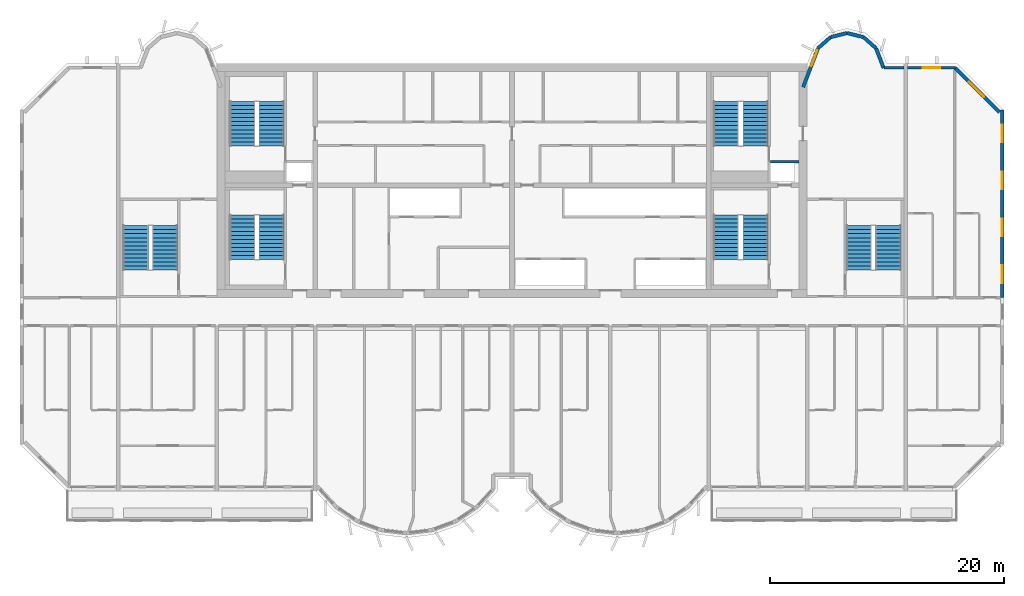
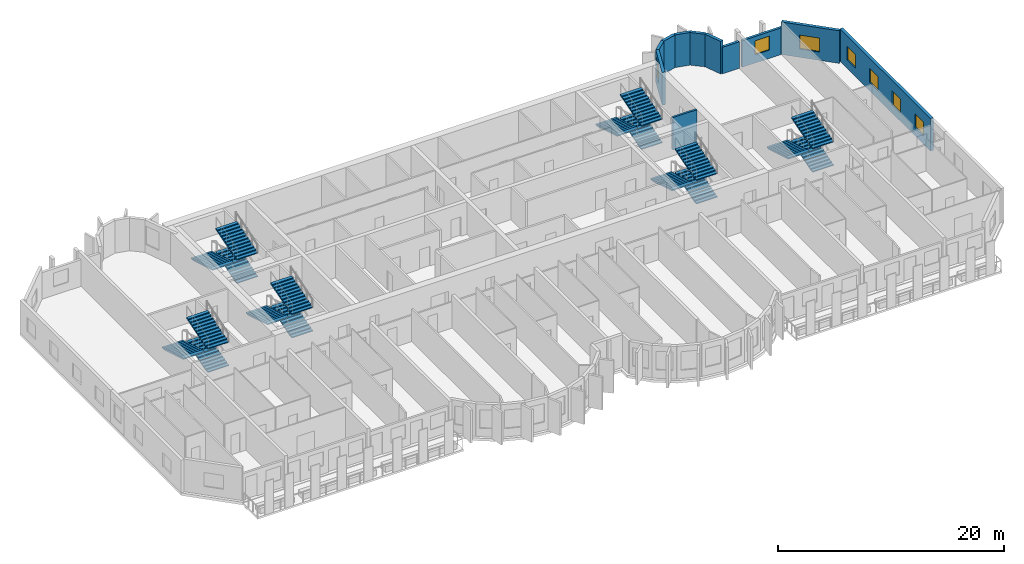
# One storey, part 10 of 13: 18 stair flights, 11 walls, 7 windows, 7 openings, 6 elements without a shape of their own.
"""IFC4 building model written with IfcOpenShell, lengths in metres."""

from ifc_helpers import new_model, si_unit, direction, frame, frame_2d, origin, place, context, subcontext, project, spatial, polyline, rectangle, outline, extrude, source, transform, mapped, material, layer, layer_set, type_object, element, fill, aggregate, save


model = new_model("IFC4")

# Units and contexts
model_context = context("Model", 3, precision=1e-05, world=origin(), true_north=direction((0.0, 1.0)))
body_context = subcontext(model_context, "Body", "Model", "MODEL_VIEW")
ifc_project = project(units=[si_unit("LENGTHUNIT", "METRE"), si_unit("AREAUNIT", "SQUARE_METRE"), si_unit("VOLUMEUNIT", "CUBIC_METRE"), si_unit("PLANEANGLEUNIT", "RADIAN"), si_unit("MASSUNIT", "GRAM", prefix="KILO")], contexts=[model_context])

# Site, building, storey
site_placement = place(None, origin())
site = spatial("IfcSite", under=ifc_project, at=site_placement, CompositionType="ELEMENT")
building_placement = place(site_placement, origin())
building = spatial("IfcBuilding", under=site, at=building_placement, Name="Vanashikhar Sky Hotel", CompositionType="ELEMENT")
storey_placement = place(building_placement, frame((0.0, 0.0, 163.0)))
storey = spatial("IfcBuildingStorey", under=building, at=storey_placement, Name="L39", CompositionType="ELEMENT", Elevation=163.0)

# Wall, openings, windows
ifc_material_1 = material(Name="Concrete M60", Category="concrete")
ifc_layer_1 = layer(ifc_material_1, 0.300048828125)
ifc_layer_set_1 = layer_set([ifc_layer_1], Name="RC shear wall 300 Concrete M60")
wall_type_1 = type_object("IfcWallType", Name="RC shear wall 300 Concrete M60", PredefinedType="SHEAR", material=ifc_layer_set_1)
shared_shape_1 = source(origin(), body_context, "Body", "SweptSolid", [
    extrude(rectangle(XDim=16.0, YDim=0.300048828125, at=frame_2d((8.0, 0.0))), origin(), (0.0, 0.0, 1.0), 3.52001953125),
])
wall_1_placement = place(storey_placement, frame((92.25, 22.0, 0.0), z_axis=(0.0, 0.0, 1.0), x_axis=(0.0, 1.0, 0.0)))
wall_1 = element("IfcWall", 1, at=wall_1_placement, inside=storey, type_object=wall_type_1, Name="CW-L39-XW12-2", PredefinedType="SHEAR", context=body_context, shape_type="MappedRepresentation", body=[
    mapped(shared_shape_1, transform((0.0, 0.0, 0.0), scale=1.0)),
])
shared_shape_2 = source(origin(), body_context, "Body", "SweptSolid", [
    extrude(rectangle(XDim=1.5, YDim=1.5, at=frame_2d((0.75, 0.75))), frame((0.0, 0.16015625, 0.0), z_axis=(0.0, -1.0, 0.0), x_axis=(1.0, 0.0, 0.0)), (0.0, 0.0, 1.0), 0.320068359375),
])
opening_1_placement = place(wall_1_placement, frame((1.25, 0.0, 0.89990234375)))
opening_1 = element("IfcOpeningElement", 2, at=opening_1_placement, cuts=wall_1, Name="Opening WN-1", PredefinedType="OPENING", context=body_context, shape_type="MappedRepresentation", body=[
    mapped(shared_shape_2, transform((0.0, 0.0, 0.0), scale=1.0)),
])
opening_2_placement = place(wall_1_placement, frame((5.25, 0.0, 0.89990234375)))
opening_2 = element("IfcOpeningElement", 3, at=opening_2_placement, cuts=wall_1, Name="Opening WN-1", PredefinedType="OPENING", context=body_context, shape_type="MappedRepresentation", body=[
    mapped(shared_shape_2, transform((0.0, 0.0, 0.0), scale=1.0)),
])
opening_3_placement = place(wall_1_placement, frame((9.25, 0.0, 0.89990234375)))
opening_3 = element("IfcOpeningElement", 4, at=opening_3_placement, cuts=wall_1, Name="Opening WN-1", PredefinedType="OPENING", context=body_context, shape_type="MappedRepresentation", body=[
    mapped(shared_shape_2, transform((0.0, 0.0, 0.0), scale=1.0)),
])
opening_4_placement = place(wall_1_placement, frame((13.25, 0.0, 0.89990234375)))
opening_4 = element("IfcOpeningElement", 5, at=opening_4_placement, cuts=wall_1, Name="Opening WN-1", PredefinedType="OPENING", context=body_context, shape_type="MappedRepresentation", body=[
    mapped(shared_shape_2, transform((0.0, 0.0, 0.0), scale=1.0)),
])
ifc_material_2 = material(Name="Glass", Category="glass")
window_type_1 = type_object("IfcWindowType", Name="Window 1500 x 1500", PartitioningType="SINGLE_PANEL", PredefinedType="WINDOW", material=ifc_material_2)
shared_shape_3 = source(origin(), body_context, "Body", "SweptSolid", [
    extrude(rectangle(XDim=1.5, YDim=1.5, at=frame_2d((0.75, 0.75))), frame((0.0, 0.030029296875, 0.0), z_axis=(0.0, -1.0, 0.0), x_axis=(1.0, 0.0, 0.0)), (0.0, 0.0, 1.0), 0.06005859375),
])
window_1_placement = place(opening_1_placement, origin())
window_1 = element("IfcWindow", 6, at=window_1_placement, inside=storey, type_object=window_type_1, Name="Window WN-1", OverallHeight=1.5, OverallWidth=1.5, PartitioningType="SINGLE_PANEL", PredefinedType="WINDOW", context=body_context, shape_type="MappedRepresentation", body=[
    mapped(shared_shape_3, transform((0.0, 0.0, 0.0), scale=1.0)),
])
fill(opening_1, window_1)
window_2_placement = place(opening_2_placement, origin())
window_2 = element("IfcWindow", 7, at=window_2_placement, inside=storey, type_object=window_type_1, Name="Window WN-1", OverallHeight=1.5, OverallWidth=1.5, PartitioningType="SINGLE_PANEL", PredefinedType="WINDOW", context=body_context, shape_type="MappedRepresentation", body=[
    mapped(shared_shape_3, transform((0.0, 0.0, 0.0), scale=1.0)),
])
fill(opening_2, window_2)
window_3_placement = place(opening_3_placement, origin())
window_3 = element("IfcWindow", 8, at=window_3_placement, inside=storey, type_object=window_type_1, Name="Window WN-1", OverallHeight=1.5, OverallWidth=1.5, PartitioningType="SINGLE_PANEL", PredefinedType="WINDOW", context=body_context, shape_type="MappedRepresentation", body=[
    mapped(shared_shape_3, transform((0.0, 0.0, 0.0), scale=1.0)),
])
fill(opening_3, window_3)
window_4_placement = place(opening_4_placement, origin())
window_4 = element("IfcWindow", 9, at=window_4_placement, inside=storey, type_object=window_type_1, Name="Window WN-1", OverallHeight=1.5, OverallWidth=1.5, PartitioningType="SINGLE_PANEL", PredefinedType="WINDOW", context=body_context, shape_type="MappedRepresentation", body=[
    mapped(shared_shape_3, transform((0.0, 0.0, 0.0), scale=1.0)),
])
fill(opening_4, window_4)

# Wall, opening, window
ifc_material_3 = material(Name="Concrete M50", Category="concrete")
ifc_layer_2 = layer(ifc_material_3, 0.300048828125)
ifc_layer_set_2 = layer_set([ifc_layer_2], Name="Lobe wall 300")
wall_type_2 = type_object("IfcWallType", Name="Lobe wall 300", PredefinedType="SOLIDWALL", material=ifc_layer_set_2)
shared_shape_4 = source(origin(), body_context, "Body", "SweptSolid", [
    extrude(rectangle(XDim=5.32568359375, YDim=0.300048828125, at=frame_2d((2.662841796875, 0.0))), origin(), (0.0, 0.0, 1.0), 3.52001953125),
])
wall_2_placement = place(storey_placement, frame((92.0, 37.834228515625, 0.0), z_axis=(0.0, 0.0, 1.0), x_axis=(-0.707083859269, 0.707129702361, 0.0)))
wall_2 = element("IfcWall", 10, at=wall_2_placement, inside=storey, type_object=wall_type_2, Name="Corner wall", PredefinedType="SOLIDWALL", context=body_context, shape_type="MappedRepresentation", body=[
    mapped(shared_shape_4, transform((0.0, 0.0, 0.0), scale=1.0)),
])
shared_shape_5 = source(origin(), body_context, "Body", "SweptSolid", [
    extrude(rectangle(XDim=1.800048828125, YDim=1.5, at=frame_2d((0.89990234375, 0.75))), frame((0.0, 0.16015625, 0.0), z_axis=(0.0, -1.0, 0.0), x_axis=(1.0, 0.0, 0.0)), (0.0, 0.0, 1.0), 0.320068359375),
])
opening_5_placement = place(wall_2_placement, frame((1.8359375, 0.0, 0.89990234375)))
opening_5 = element("IfcOpeningElement", 11, at=opening_5_placement, cuts=wall_2, Name="Opening WN-4", PredefinedType="OPENING", context=body_context, shape_type="MappedRepresentation", body=[
    mapped(shared_shape_5, transform((0.0, 0.0, 0.0), scale=1.0)),
])
window_type_2 = type_object("IfcWindowType", Name="Corner window 1800 x 1500", PartitioningType="SINGLE_PANEL", PredefinedType="WINDOW", material=ifc_material_2)
shared_shape_6 = source(origin(), body_context, "Body", "SweptSolid", [
    extrude(rectangle(XDim=1.800048828125, YDim=1.5, at=frame_2d((0.89990234375, 0.75))), frame((0.0, 0.030029296875, 0.0), z_axis=(0.0, -1.0, 0.0), x_axis=(1.0, 0.0, 0.0)), (0.0, 0.0, 1.0), 0.06005859375),
])
window_5_placement = place(opening_5_placement, origin())
window_5 = element("IfcWindow", 12, at=window_5_placement, inside=storey, type_object=window_type_2, Name="Window WN-4", OverallHeight=1.5, OverallWidth=1.800048828125, PartitioningType="SINGLE_PANEL", PredefinedType="WINDOW", context=body_context, shape_type="MappedRepresentation", body=[
    mapped(shared_shape_6, transform((0.0, 0.0, 0.0), scale=1.0)),
])
fill(opening_5, window_5)

shared_shape_7 = source(origin(), body_context, "Body", "SweptSolid", [
    extrude(rectangle(XDim=3.55908203125, YDim=0.300048828125, at=frame_2d((1.779541015625, 0.0))), origin(), (0.0, 0.0, 1.0), 3.52001953125),
])
wall_3_placement = place(storey_placement, frame((76.5234375, 43.2919921875, 0.0), z_axis=(0.0, 0.0, 1.0), x_axis=(-0.35779745313, -0.933799219604, 0.0)))
wall_3 = element("IfcWall", 13, at=wall_3_placement, inside=storey, type_object=wall_type_2, Name="Lobe wall", PredefinedType="SOLIDWALL", context=body_context, shape_type="MappedRepresentation", body=[
    mapped(shared_shape_7, transform((0.0, 0.0, 0.0), scale=1.0)),
])
shared_shape_8 = source(origin(), body_context, "Body", "SweptSolid", [
    extrude(rectangle(XDim=1.5, YDim=2.0, at=frame_2d((0.75, 1.0))), frame((0.0, 0.16015625, 0.0), z_axis=(0.0, -1.0, 0.0), x_axis=(1.0, 0.0, 0.0)), (0.0, 0.0, 1.0), 0.320068359375),
])
opening_6_placement = place(wall_3_placement, frame((0.156005859375, 0.0, 0.89990234375)))
opening_6 = element("IfcOpeningElement", 14, at=opening_6_placement, cuts=wall_3, Name="Opening WN-2", PredefinedType="OPENING", context=body_context, shape_type="MappedRepresentation", body=[
    mapped(shared_shape_8, transform((0.0, 0.0, 0.0), scale=1.0)),
])
window_type_3 = type_object("IfcWindowType", Name="Lobe window 1500 x 2000", PartitioningType="SINGLE_PANEL", PredefinedType="WINDOW", material=ifc_material_2)
shared_shape_9 = source(origin(), body_context, "Body", "SweptSolid", [
    extrude(rectangle(XDim=1.5, YDim=2.0, at=frame_2d((0.75, 1.0))), frame((0.0, 0.030029296875, 0.0), z_axis=(0.0, -1.0, 0.0), x_axis=(1.0, 0.0, 0.0)), (0.0, 0.0, 1.0), 0.06005859375),
])
window_6_placement = place(opening_6_placement, origin())
window_6 = element("IfcWindow", 15, at=window_6_placement, inside=storey, type_object=window_type_3, Name="Window WN-2", OverallHeight=2.0, OverallWidth=1.5, PartitioningType="SINGLE_PANEL", PredefinedType="WINDOW", context=body_context, shape_type="MappedRepresentation", body=[
    mapped(shared_shape_9, transform((0.0, 0.0, 0.0), scale=1.0)),
])
fill(opening_6, window_6)

# Walls
shared_shape_10 = source(origin(), body_context, "Body", "SweptSolid", [
    extrude(rectangle(XDim=1.438720703125, YDim=0.300048828125, at=frame_2d((0.71923828125, 0.0))), origin(), (0.0, 0.0, 1.0), 3.52001953125),
])
for number, where, z_axis, x_axis, name in (
    (16, (80.397216796875, 44.2451171875, 0.0), (0.0, 0.0, 1.0), (-0.971161932466, 0.238420848351, 0.0), "Lobe wall"),
    (17, (79.0, 44.588134765625, 0.0), (0.0, 0.0, 1.0), (-0.971161932466, -0.238420848351, 0.0), "Lobe wall"),
):
    element("IfcWall", number, at=place(storey_placement, frame(where, z_axis=z_axis, x_axis=x_axis)), inside=storey, type_object=wall_type_2, Name=name, PredefinedType="SOLIDWALL", context=body_context, shape_type="MappedRepresentation", body=[
        mapped(shared_shape_10, transform((0.0, 0.0, 0.0), scale=1.0)),
    ])
shared_shape_11 = source(origin(), body_context, "Body", "SweptSolid", [
    extrude(rectangle(XDim=1.43994140625, YDim=0.300048828125, at=frame_2d((0.719970703125, 0.0))), origin(), (0.0, 0.0, 1.0), 3.52001953125),
])
for number, where, z_axis, x_axis, name in (
    (18, (81.4765625, 43.2919921875, 0.0), (0.0, 0.0, 1.0), (-0.74957555648, 0.661918790432, 0.0), "Lobe wall"),
    (19, (77.602783203125, 44.2451171875, 0.0), (0.0, 0.0, 1.0), (-0.74957555648, -0.661918790432, 0.0), "Lobe wall"),
):
    element("IfcWall", number, at=place(storey_placement, frame(where, z_axis=z_axis, x_axis=x_axis)), inside=storey, type_object=wall_type_2, Name=name, PredefinedType="SOLIDWALL", context=body_context, shape_type="MappedRepresentation", body=[
        mapped(shared_shape_11, transform((0.0, 0.0, 0.0), scale=1.0)),
    ])
shared_shape_12 = source(origin(), body_context, "Body", "SweptSolid", [
    extrude(rectangle(XDim=1.81201171875, YDim=0.300048828125, at=frame_2d((0.906005859375, 0.0))), origin(), (0.0, 0.0, 1.0), 3.52001953125),
])
wall_4_placement = place(storey_placement, frame((82.125, 41.60009765625, 0.0), z_axis=(0.0, 0.0, 1.0), x_axis=(-0.357877270961, 0.93376863244, 0.0)))
element("IfcWall", 20, at=wall_4_placement, inside=storey, type_object=wall_type_2, Name="Lobe wall", PredefinedType="SOLIDWALL", context=body_context, shape_type="MappedRepresentation", body=[
    mapped(shared_shape_12, transform((0.0, 0.0, 0.0), scale=1.0)),
])
ifc_layer_3 = layer(ifc_material_3, 0.25)
ifc_layer_set_3 = layer_set([ifc_layer_3], Name="Rear and end board-marked wall 250")
wall_type_3 = type_object("IfcWallType", Name="Rear and end board-marked wall 250", PredefinedType="SOLIDWALL", material=ifc_layer_set_3)
shared_shape_13 = source(origin(), body_context, "Body", "SweptSolid", [
    extrude(rectangle(XDim=1.7080078125, YDim=0.25, at=frame_2d((0.85400390625, 0.0))), origin(), (0.0, 0.0, 1.0), 2.8701171875),
])
wall_5_placement = place(storey_placement, frame((83.85009765625, 41.625, 0.0), z_axis=(0.0, 0.0, 1.0), x_axis=(-1.0, 0.0, 0.0)))
element("IfcWall", 21, at=wall_5_placement, inside=storey, type_object=wall_type_3, Name="Rear board-marked wall", PredefinedType="SOLIDWALL", context=body_context, shape_type="MappedRepresentation", body=[
    mapped(shared_shape_13, transform((0.0, 0.0, 0.0), scale=1.0)),
])

# Wall, opening, window
shared_shape_14 = source(origin(), body_context, "Body", "SweptSolid", [
    extrude(rectangle(XDim=4.0947265625, YDim=0.25, at=frame_2d((2.04736328125, 0.0))), origin(), (0.0, 0.0, 1.0), 2.8701171875),
])
wall_6_placement = place(storey_placement, frame((88.24462890625, 41.625, 0.0), z_axis=(0.0, 0.0, 1.0), x_axis=(-1.0, 0.0, 0.0)))
wall_6 = element("IfcWall", 22, at=wall_6_placement, inside=storey, type_object=wall_type_3, Name="Rear board-marked wall", PredefinedType="SOLIDWALL", context=body_context, shape_type="MappedRepresentation", body=[
    mapped(shared_shape_14, transform((0.0, 0.0, 0.0), scale=1.0)),
])
shared_shape_15 = source(origin(), body_context, "Body", "SweptSolid", [
    extrude(rectangle(XDim=1.5, YDim=1.5, at=frame_2d((0.75, 0.75))), frame((0.0, 0.135009765625, 0.0), z_axis=(0.0, -1.0, 0.0), x_axis=(1.0, 0.0, 0.0)), (0.0, 0.0, 1.0), 0.27001953125),
])
opening_7_placement = place(wall_6_placement, frame((1.29736328125, 0.0, 0.89990234375)))
opening_7 = element("IfcOpeningElement", 23, at=opening_7_placement, cuts=wall_6, Name="Opening WN-1", PredefinedType="OPENING", context=body_context, shape_type="MappedRepresentation", body=[
    mapped(shared_shape_15, transform((0.0, 0.0, 0.0), scale=1.0)),
])
window_7_placement = place(opening_7_placement, origin())
window_7 = element("IfcWindow", 24, at=window_7_placement, inside=storey, type_object=window_type_1, Name="Window WN-1", OverallHeight=1.5, OverallWidth=1.5, PartitioningType="SINGLE_PANEL", PredefinedType="WINDOW", context=body_context, shape_type="MappedRepresentation", body=[
    mapped(shared_shape_3, transform((0.0, 0.0, 0.0), scale=1.0)),
])
fill(opening_7, window_7)

# Wall
ifc_material_4 = material(Name="Concrete M40", Category="concrete")
ifc_layer_4 = layer(ifc_material_4, 0.199951171875)
ifc_layer_set_4 = layer_set([ifc_layer_4], Name="Shaft wall 200")
wall_type_4 = type_object("IfcWallType", Name="Shaft wall 200", PredefinedType="SOLIDWALL", material=ifc_layer_set_4)
shared_shape_16 = source(origin(), body_context, "Body", "SweptSolid", [
    extrude(rectangle(XDim=2.449951171875, YDim=0.199951171875, at=frame_2d((1.22509765625, 0.0))), origin(), (0.0, 0.0, 1.0), 3.52001953125),
])
wall_7_placement = place(storey_placement, frame((72.449951171875, 33.60009765625, 0.0), z_axis=(0.0, 0.0, 1.0), x_axis=(1.0, 0.0, 0.0)))
element("IfcWall", 25, at=wall_7_placement, inside=storey, type_object=wall_type_4, Name="Shaft wall 200", PredefinedType="SOLIDWALL", context=body_context, shape_type="MappedRepresentation", body=[
    mapped(shared_shape_16, transform((0.0, 0.0, 0.0), scale=1.0)),
])

# Stair, stair flights
stair_type = type_object("IfcStairType", Name="Exit stair 2150", PredefinedType="DOUBLE_RETURN_STAIR", material=ifc_material_4)
stair_1_placement = place(storey_placement, origin())
stair_1 = element("IfcStair", 26, at=stair_1_placement, inside=storey, type_object=stair_type, Name="L39 Exit stair 1", PredefinedType="DOUBLE_RETURN_STAIR")
stair_flight_type = type_object("IfcStairFlightType", Name="Stair flight 2150", PredefinedType="STRAIGHT", material=ifc_material_4)
shared_shape_17 = source(origin(), body_context, "Body", "SweptSolid", [
    extrude(outline(polyline([(0.0, 0.0), (0.0, 0.10546875), (0.345458984375, 0.10546875), (0.345458984375, 0.211181640625), (0.69091796875, 0.211181640625), (0.69091796875, 0.316650390625), (1.036376953125, 0.316650390625), (1.036376953125, 0.422119140625), (1.3818359375, 0.422119140625), (1.3818359375, 0.52783203125), (1.727294921875, 0.52783203125), (1.727294921875, 0.63330078125), (2.07275390625, 0.63330078125), (2.07275390625, 0.73876953125), (2.418212890625, 0.73876953125), (2.418212890625, 0.844482421875), (2.763671875, 0.844482421875), (2.763671875, 0.949951171875), (3.109130859375, 0.949951171875), (3.109130859375, 1.0556640625), (3.45458984375, 1.0556640625), (3.45458984375, 1.1611328125), (3.800048828125, 1.1611328125), (3.800048828125, 1.2666015625), (3.800048828125, 1.035400390625), (0.4111328125, 0.0), (0.0, 0.0)])), frame((0.0, 1.074951171875, 0.0), z_axis=(0.0, -1.0, 0.0), x_axis=(1.0, 0.0, 0.0)), (0.0, 0.0, 1.0), 2.14990234375),
])
stair_flight_1_placement = place(storey_placement, frame((29.875, 25.25, 0.0), z_axis=(0.0, 0.0, 1.0), x_axis=(0.0, 1.0, 0.0)))
stair_flight_1 = element("IfcStairFlight", 27, at=stair_flight_1_placement, type_object=stair_flight_type, Name="ST-C1 flight 1", NumberOfRisers=12, NumberOfTreads=11, PredefinedType="STRAIGHT", RiserHeight=0.105555556, TreadLength=0.345454545, context=body_context, shape_type="MappedRepresentation", body=[
    mapped(shared_shape_17, transform((0.0, 0.0, 0.0), scale=1.0)),
])
stair_flight_2_placement = place(storey_placement, frame((27.375, 29.050048828125, 1.2666015625), z_axis=(0.0, 0.0, 1.0), x_axis=(0.0, -1.0, 0.0)))
stair_flight_2 = element("IfcStairFlight", 28, at=stair_flight_2_placement, type_object=stair_flight_type, Name="ST-C1 flight 2", NumberOfRisers=12, NumberOfTreads=11, PredefinedType="STRAIGHT", RiserHeight=0.105555556, TreadLength=0.345454545, context=body_context, shape_type="MappedRepresentation", body=[
    mapped(shared_shape_17, transform((0.0, 0.0, 0.0), scale=1.0)),
])
stair_flight_3_placement = place(storey_placement, frame((29.875, 25.25, 2.533447265625), z_axis=(0.0, 0.0, 1.0), x_axis=(0.0, 1.0, 0.0)))
stair_flight_3 = element("IfcStairFlight", 29, at=stair_flight_3_placement, type_object=stair_flight_type, Name="ST-C1 flight 3", NumberOfRisers=12, NumberOfTreads=11, PredefinedType="STRAIGHT", RiserHeight=0.105555556, TreadLength=0.345454545, context=body_context, shape_type="MappedRepresentation", body=[
    mapped(shared_shape_17, transform((0.0, 0.0, 0.0), scale=1.0)),
])
aggregate(stair_1, [stair_flight_1, stair_flight_2, stair_flight_3])

stair_2_placement = place(storey_placement, origin())
stair_2 = element("IfcStair", 30, at=stair_2_placement, inside=storey, type_object=stair_type, Name="L39 Exit stair 2", PredefinedType="DOUBLE_RETURN_STAIR")
stair_flight_4_placement = place(storey_placement, frame((71.175048828125, 25.25, 0.0), z_axis=(0.0, 0.0, 1.0), x_axis=(0.0, 1.0, 0.0)))
stair_flight_4 = element("IfcStairFlight", 31, at=stair_flight_4_placement, type_object=stair_flight_type, Name="ST-C2 flight 1", NumberOfRisers=12, NumberOfTreads=11, PredefinedType="STRAIGHT", RiserHeight=0.105555556, TreadLength=0.345454545, context=body_context, shape_type="MappedRepresentation", body=[
    mapped(shared_shape_17, transform((0.0, 0.0, 0.0), scale=1.0)),
])
stair_flight_5_placement = place(storey_placement, frame((68.675048828125, 29.050048828125, 1.2666015625), z_axis=(0.0, 0.0, 1.0), x_axis=(0.0, -1.0, 0.0)))
stair_flight_5 = element("IfcStairFlight", 32, at=stair_flight_5_placement, type_object=stair_flight_type, Name="ST-C2 flight 2", NumberOfRisers=12, NumberOfTreads=11, PredefinedType="STRAIGHT", RiserHeight=0.105555556, TreadLength=0.345454545, context=body_context, shape_type="MappedRepresentation", body=[
    mapped(shared_shape_17, transform((0.0, 0.0, 0.0), scale=1.0)),
])
stair_flight_6_placement = place(storey_placement, frame((71.175048828125, 25.25, 2.533447265625), z_axis=(0.0, 0.0, 1.0), x_axis=(0.0, 1.0, 0.0)))
stair_flight_6 = element("IfcStairFlight", 33, at=stair_flight_6_placement, type_object=stair_flight_type, Name="ST-C2 flight 3", NumberOfRisers=12, NumberOfTreads=11, PredefinedType="STRAIGHT", RiserHeight=0.105555556, TreadLength=0.345454545, context=body_context, shape_type="MappedRepresentation", body=[
    mapped(shared_shape_17, transform((0.0, 0.0, 0.0), scale=1.0)),
])
aggregate(stair_2, [stair_flight_4, stair_flight_5, stair_flight_6])

stair_3_placement = place(storey_placement, origin())
stair_3 = element("IfcStair", 34, at=stair_3_placement, inside=storey, type_object=stair_type, Name="L39 Exit stair 3", PredefinedType="DOUBLE_RETURN_STAIR")
stair_flight_7_placement = place(storey_placement, frame((20.77490234375, 24.35009765625, 0.0), z_axis=(0.0, 0.0, 1.0), x_axis=(0.0, 1.0, 0.0)))
stair_flight_7 = element("IfcStairFlight", 35, at=stair_flight_7_placement, type_object=stair_flight_type, Name="ST-W flight 1", NumberOfRisers=12, NumberOfTreads=11, PredefinedType="STRAIGHT", RiserHeight=0.105555556, TreadLength=0.345454545, context=body_context, shape_type="MappedRepresentation", body=[
    mapped(shared_shape_17, transform((0.0, 0.0, 0.0), scale=1.0)),
])
stair_flight_8_placement = place(storey_placement, frame((18.27490234375, 28.14990234375, 1.2666015625), z_axis=(0.0, 0.0, 1.0), x_axis=(0.0, -1.0, 0.0)))
stair_flight_8 = element("IfcStairFlight", 36, at=stair_flight_8_placement, type_object=stair_flight_type, Name="ST-W flight 2", NumberOfRisers=12, NumberOfTreads=11, PredefinedType="STRAIGHT", RiserHeight=0.105555556, TreadLength=0.345454545, context=body_context, shape_type="MappedRepresentation", body=[
    mapped(shared_shape_17, transform((0.0, 0.0, 0.0), scale=1.0)),
])
stair_flight_9_placement = place(storey_placement, frame((20.77490234375, 24.35009765625, 2.533447265625), z_axis=(0.0, 0.0, 1.0), x_axis=(0.0, 1.0, 0.0)))
stair_flight_9 = element("IfcStairFlight", 37, at=stair_flight_9_placement, type_object=stair_flight_type, Name="ST-W flight 3", NumberOfRisers=12, NumberOfTreads=11, PredefinedType="STRAIGHT", RiserHeight=0.105555556, TreadLength=0.345454545, context=body_context, shape_type="MappedRepresentation", body=[
    mapped(shared_shape_17, transform((0.0, 0.0, 0.0), scale=1.0)),
])
aggregate(stair_3, [stair_flight_7, stair_flight_8, stair_flight_9])

stair_4_placement = place(storey_placement, origin())
stair_4 = element("IfcStair", 38, at=stair_4_placement, inside=storey, type_object=stair_type, Name="L39 Exit stair 4", PredefinedType="DOUBLE_RETURN_STAIR")
stair_flight_10_placement = place(storey_placement, frame((82.52490234375, 24.35009765625, 0.0), z_axis=(0.0, 0.0, 1.0), x_axis=(0.0, 1.0, 0.0)))
stair_flight_10 = element("IfcStairFlight", 39, at=stair_flight_10_placement, type_object=stair_flight_type, Name="ST-E flight 1", NumberOfRisers=12, NumberOfTreads=11, PredefinedType="STRAIGHT", RiserHeight=0.105555556, TreadLength=0.345454545, context=body_context, shape_type="MappedRepresentation", body=[
    mapped(shared_shape_17, transform((0.0, 0.0, 0.0), scale=1.0)),
])
stair_flight_11_placement = place(storey_placement, frame((80.02490234375, 28.14990234375, 1.2666015625), z_axis=(0.0, 0.0, 1.0), x_axis=(0.0, -1.0, 0.0)))
stair_flight_11 = element("IfcStairFlight", 40, at=stair_flight_11_placement, type_object=stair_flight_type, Name="ST-E flight 2", NumberOfRisers=12, NumberOfTreads=11, PredefinedType="STRAIGHT", RiserHeight=0.105555556, TreadLength=0.345454545, context=body_context, shape_type="MappedRepresentation", body=[
    mapped(shared_shape_17, transform((0.0, 0.0, 0.0), scale=1.0)),
])
stair_flight_12_placement = place(storey_placement, frame((82.52490234375, 24.35009765625, 2.533447265625), z_axis=(0.0, 0.0, 1.0), x_axis=(0.0, 1.0, 0.0)))
stair_flight_12 = element("IfcStairFlight", 41, at=stair_flight_12_placement, type_object=stair_flight_type, Name="ST-E flight 3", NumberOfRisers=12, NumberOfTreads=11, PredefinedType="STRAIGHT", RiserHeight=0.105555556, TreadLength=0.345454545, context=body_context, shape_type="MappedRepresentation", body=[
    mapped(shared_shape_17, transform((0.0, 0.0, 0.0), scale=1.0)),
])
aggregate(stair_4, [stair_flight_10, stair_flight_11, stair_flight_12])

stair_5_placement = place(storey_placement, origin())
stair_5 = element("IfcStair", 42, at=stair_5_placement, inside=storey, type_object=stair_type, Name="L39 Exit stair 5", PredefinedType="DOUBLE_RETURN_STAIR")
stair_flight_13_placement = place(storey_placement, frame((29.875, 34.949951171875, 0.0), z_axis=(0.0, 0.0, 1.0), x_axis=(0.0, 1.0, 0.0)))
stair_flight_13 = element("IfcStairFlight", 43, at=stair_flight_13_placement, type_object=stair_flight_type, Name="ST-C3 flight 1", NumberOfRisers=12, NumberOfTreads=11, PredefinedType="STRAIGHT", RiserHeight=0.105555556, TreadLength=0.345454545, context=body_context, shape_type="MappedRepresentation", body=[
    mapped(shared_shape_17, transform((0.0, 0.0, 0.0), scale=1.0)),
])
stair_flight_14_placement = place(storey_placement, frame((27.375, 38.75, 1.2666015625), z_axis=(0.0, 0.0, 1.0), x_axis=(0.0, -1.0, 0.0)))
stair_flight_14 = element("IfcStairFlight", 44, at=stair_flight_14_placement, type_object=stair_flight_type, Name="ST-C3 flight 2", NumberOfRisers=12, NumberOfTreads=11, PredefinedType="STRAIGHT", RiserHeight=0.105555556, TreadLength=0.345454545, context=body_context, shape_type="MappedRepresentation", body=[
    mapped(shared_shape_17, transform((0.0, 0.0, 0.0), scale=1.0)),
])
stair_flight_15_placement = place(storey_placement, frame((29.875, 34.949951171875, 2.533447265625), z_axis=(0.0, 0.0, 1.0), x_axis=(0.0, 1.0, 0.0)))
stair_flight_15 = element("IfcStairFlight", 45, at=stair_flight_15_placement, type_object=stair_flight_type, Name="ST-C3 flight 3", NumberOfRisers=12, NumberOfTreads=11, PredefinedType="STRAIGHT", RiserHeight=0.105555556, TreadLength=0.345454545, context=body_context, shape_type="MappedRepresentation", body=[
    mapped(shared_shape_17, transform((0.0, 0.0, 0.0), scale=1.0)),
])
aggregate(stair_5, [stair_flight_13, stair_flight_14, stair_flight_15])

stair_6_placement = place(storey_placement, origin())
stair_6 = element("IfcStair", 46, at=stair_6_placement, inside=storey, type_object=stair_type, Name="L39 Exit stair 6", PredefinedType="DOUBLE_RETURN_STAIR")
stair_flight_16_placement = place(storey_placement, frame((71.175048828125, 34.949951171875, 0.0), z_axis=(0.0, 0.0, 1.0), x_axis=(0.0, 1.0, 0.0)))
stair_flight_16 = element("IfcStairFlight", 47, at=stair_flight_16_placement, type_object=stair_flight_type, Name="ST-C4 flight 1", NumberOfRisers=12, NumberOfTreads=11, PredefinedType="STRAIGHT", RiserHeight=0.105555556, TreadLength=0.345454545, context=body_context, shape_type="MappedRepresentation", body=[
    mapped(shared_shape_17, transform((0.0, 0.0, 0.0), scale=1.0)),
])
stair_flight_17_placement = place(storey_placement, frame((68.675048828125, 38.75, 1.2666015625), z_axis=(0.0, 0.0, 1.0), x_axis=(0.0, -1.0, 0.0)))
stair_flight_17 = element("IfcStairFlight", 48, at=stair_flight_17_placement, type_object=stair_flight_type, Name="ST-C4 flight 2", NumberOfRisers=12, NumberOfTreads=11, PredefinedType="STRAIGHT", RiserHeight=0.105555556, TreadLength=0.345454545, context=body_context, shape_type="MappedRepresentation", body=[
    mapped(shared_shape_17, transform((0.0, 0.0, 0.0), scale=1.0)),
])
stair_flight_18_placement = place(storey_placement, frame((71.175048828125, 34.949951171875, 2.533447265625), z_axis=(0.0, 0.0, 1.0), x_axis=(0.0, 1.0, 0.0)))
stair_flight_18 = element("IfcStairFlight", 49, at=stair_flight_18_placement, type_object=stair_flight_type, Name="ST-C4 flight 3", NumberOfRisers=12, NumberOfTreads=11, PredefinedType="STRAIGHT", RiserHeight=0.105555556, TreadLength=0.345454545, context=body_context, shape_type="MappedRepresentation", body=[
    mapped(shared_shape_17, transform((0.0, 0.0, 0.0), scale=1.0)),
])
aggregate(stair_6, [stair_flight_16, stair_flight_17, stair_flight_18])

save(model, "model.ifc")
